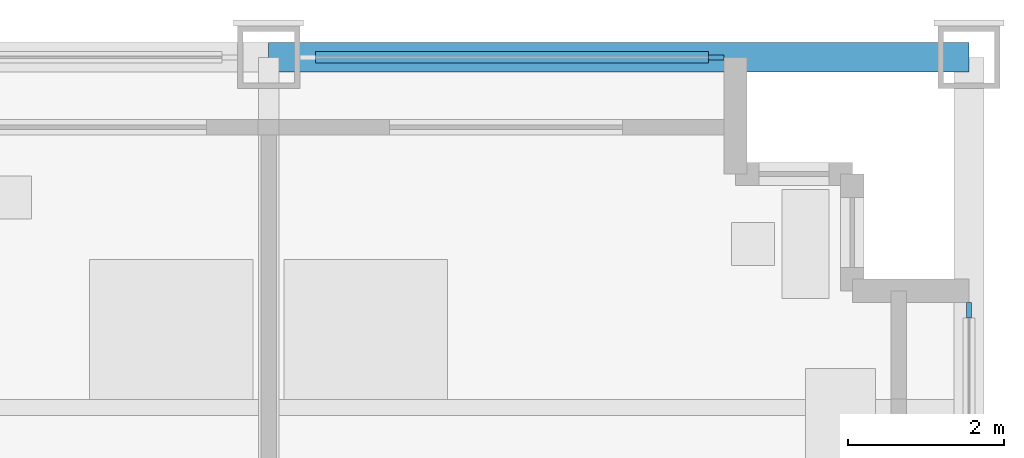
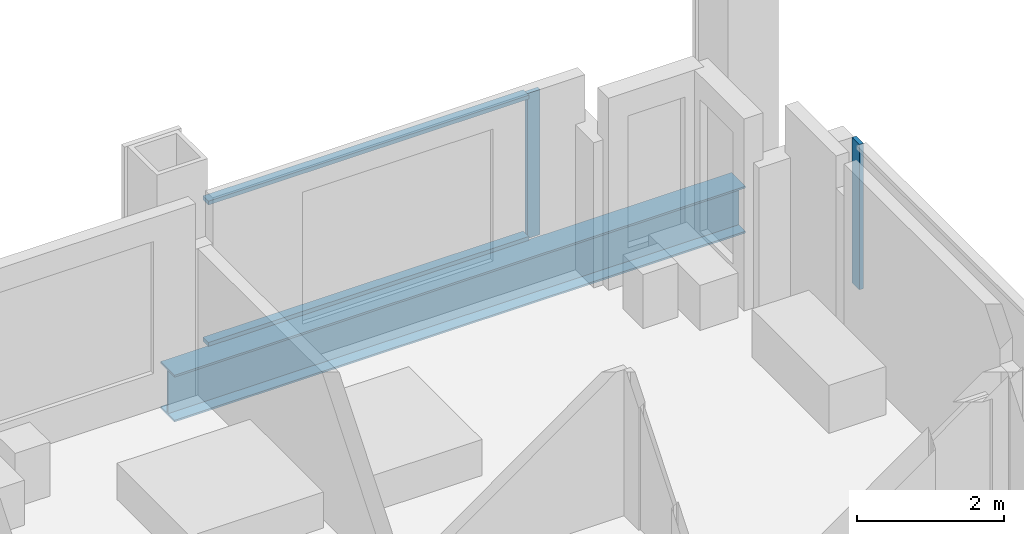
# One storey, part 7 of 16: 4 members, 1 beam, 2 elements without a shape of their own.
"""IFC4 building model written with IfcOpenShell, lengths in metres."""

from ifc_helpers import new_model, si_unit, direction, frame, origin, origin_2d, place, context, subcontext, project, spatial, rectangle, i_section, extrude, material, material_profile, profile_set, type_object, element, aggregate, save


model = new_model("IFC4")

# Units and contexts
model_context = context("Model", 3, precision=1e-05, world=origin(), true_north=direction((0.0, 1.0)))
body_context = subcontext(model_context, "Body", "Model", "MODEL_VIEW")
ifc_project = project(units=[si_unit("LENGTHUNIT", "METRE"), si_unit("AREAUNIT", "SQUARE_METRE"), si_unit("VOLUMEUNIT", "CUBIC_METRE"), si_unit("PLANEANGLEUNIT", "RADIAN"), si_unit("MASSUNIT", "GRAM", prefix="KILO")], contexts=[model_context])

# Site, building, storey
site_placement = place(None, origin())
site = spatial("IfcSite", under=ifc_project, at=site_placement, CompositionType="ELEMENT")
building_placement = place(site_placement, origin())
building = spatial("IfcBuilding", under=site, at=building_placement, Name="Loomwork Tower", CompositionType="ELEMENT")
storey_placement = place(building_placement, frame((0.0, 0.0, 104.39990234375)))
storey = spatial("IfcBuildingStorey", under=building, at=storey_placement, Name="L27", CompositionType="ELEMENT", Elevation=104.39990234375)

# Curtain wall, member
ifc_material_1 = material(Name="Aluminium curtain wall frame", Category="aluminium")
curtain_wall_type = type_object("IfcCurtainWallType", Name="Outer skin glazing hotel", PredefinedType="NOTDEFINED", material=ifc_material_1)
curtain_wall_1_placement = place(storey_placement, origin())
curtain_wall_1 = element("IfcCurtainWall", 1, at=curtain_wall_1_placement, inside=storey, type_object=curtain_wall_type, Name="Outer skin glazing hotel cw/N-36", PredefinedType="NOTDEFINED")
ifc_material_2 = material(Name="Aluminium curtain wall frame", Category="aluminium")
ifc_material_profile_1 = material_profile(ifc_material_2, rectangle(XDim=0.06494140625, YDim=0.199951171875, at=origin_2d()), Name="AL 65x200")
ifc_profile_set_1 = profile_set([ifc_material_profile_1], Name="Aluminium curtain wall frame")
member_type_1 = type_object("IfcMemberType", Name="Outer skin glazing hotel mullion", PredefinedType="MULLION", material=ifc_profile_set_1)
member_1_placement = place(storey_placement, frame((41.75, 36.0, 0.0), z_axis=(0.0, 0.0, 1.0), x_axis=(0.0, -1.0, 0.0)))
member_1 = element("IfcMember", 2, at=member_1_placement, type_object=member_type_1, Name="CW1 mullion 1", PredefinedType="MULLION", context=body_context, shape_type="SweptSolid", body=[
    extrude(rectangle(XDim=0.06494140625, YDim=0.199951171875, at=origin_2d()), origin(), (0.0, 0.0, 1.0), 2.42041015625),
])

curtain_wall_2_placement = place(storey_placement, origin())
curtain_wall_2 = element("IfcCurtainWall", 3, at=curtain_wall_2_placement, inside=storey, type_object=curtain_wall_type, Name="Outer skin glazing hotel cw/E-27", PredefinedType="NOTDEFINED")
member_2_placement = place(storey_placement, frame((45.0, 32.75, 0.0), z_axis=(0.0, 0.0, 1.0), x_axis=(-1.0, 0.0, 0.0)))
member_2 = element("IfcMember", 4, at=member_2_placement, type_object=member_type_1, Name="CW1 mullion 2", PredefinedType="MULLION", context=body_context, shape_type="SweptSolid", body=[
    extrude(rectangle(XDim=0.06494140625, YDim=0.199951171875, at=origin_2d()), origin(), (0.0, 0.0, 1.0), 2.42041015625),
])
aggregate(curtain_wall_2, [member_2])

# Member
ifc_material_3 = material(Name="Aluminium curtain wall frame", Category="aluminium")
ifc_material_profile_2 = material_profile(ifc_material_3, rectangle(XDim=0.14990234375, YDim=0.06494140625, at=origin_2d()), Name="AL 65x150")
ifc_profile_set_2 = profile_set([ifc_material_profile_2], Name="Aluminium curtain wall frame")
member_type_2 = type_object("IfcMemberType", Name="Outer skin glazing hotel transom", PredefinedType="USERDEFINED", material=ifc_profile_set_2)
member_3_placement = place(storey_placement, frame((41.64990234375, 36.0, 0.03271484375), z_axis=(-1.0, 0.0, 0.0), x_axis=(0.0, -1.0, 0.0)))
member_3 = element("IfcMember", 5, at=member_3_placement, type_object=member_type_2, Name="CW1 transom 1.1", ObjectType="TRANSOM", PredefinedType="USERDEFINED", context=body_context, shape_type="SweptSolid", body=[
    extrude(rectangle(XDim=0.14990234375, YDim=0.06494140625, at=origin_2d()), origin(), (0.0, 0.0, 1.0), 5.0498046875),
])

member_4_placement = place(storey_placement, frame((41.64990234375, 36.0, 2.3876953125), z_axis=(-1.0, 0.0, 0.0), x_axis=(0.0, -1.0, 0.0)))
member_4 = element("IfcMember", 6, at=member_4_placement, type_object=member_type_2, Name="CW1 transom 1.2", ObjectType="TRANSOM", PredefinedType="USERDEFINED", context=body_context, shape_type="SweptSolid", body=[
    extrude(rectangle(XDim=0.14990234375, YDim=0.06494140625, at=origin_2d()), origin(), (0.0, 0.0, 1.0), 5.0498046875),
])

aggregate(curtain_wall_1, [member_1, member_3, member_4])

# Beam
ifc_material_4 = material(Name="Steel ASTM A992", Category="steel")
ifc_material_profile_3 = material_profile(ifc_material_4, i_section(OverallWidth=0.381103515625, OverallDepth=0.77978515625, WebThickness=0.01806640625, FlangeThickness=0.0302734375, at=origin_2d()), Name="W30x191")
ifc_profile_set_3 = profile_set([ifc_material_profile_3], Name="Steel ASTM A992")
beam_type = type_object("IfcBeamType", Name="SPANDREL GIRDER W30x191", PredefinedType="SPANDREL", material=ifc_profile_set_3)
beam_placement = place(storey_placement, frame((36.0, 36.0, -0.58984375), z_axis=(1.0, 0.0, 0.0), x_axis=(0.0, 1.0, 0.0)))
element("IfcBeam", 7, at=beam_placement, inside=storey, type_object=beam_type, Name="Spandrel Girder H/6-H/7 L27", PredefinedType="SPANDREL", context=body_context, shape_type="SweptSolid", body=[
    extrude(i_section(OverallWidth=0.381103515625, OverallDepth=0.77978515625, WebThickness=0.01806640625, FlangeThickness=0.0302734375, at=origin_2d()), origin(), (0.0, 0.0, 1.0), 9.0),
])

save(model, "model.ifc")
